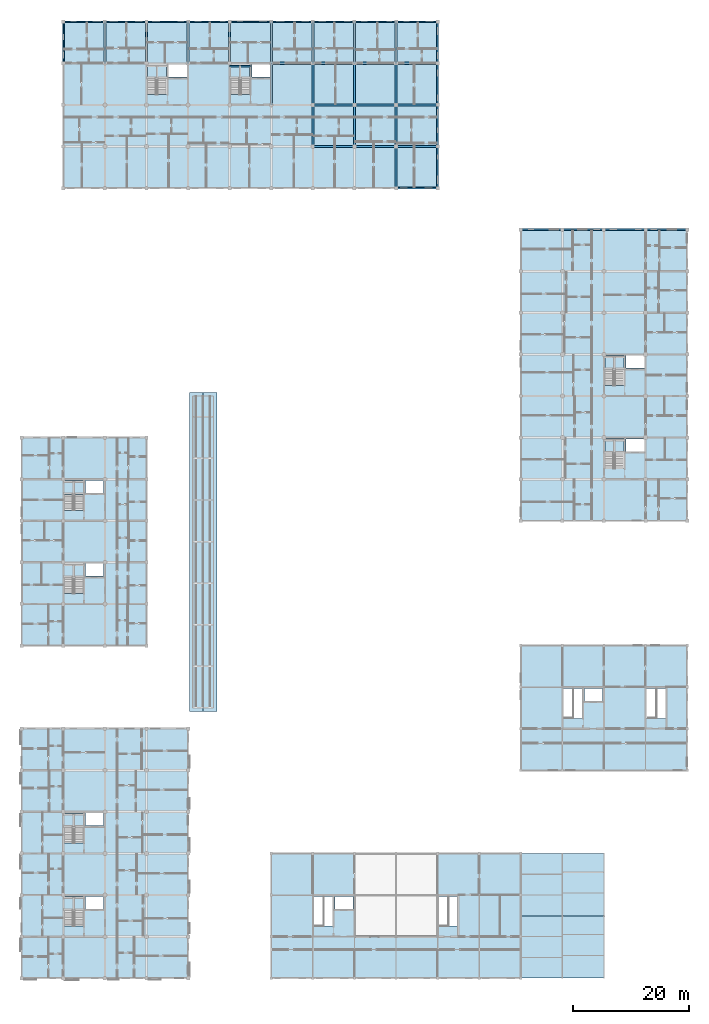
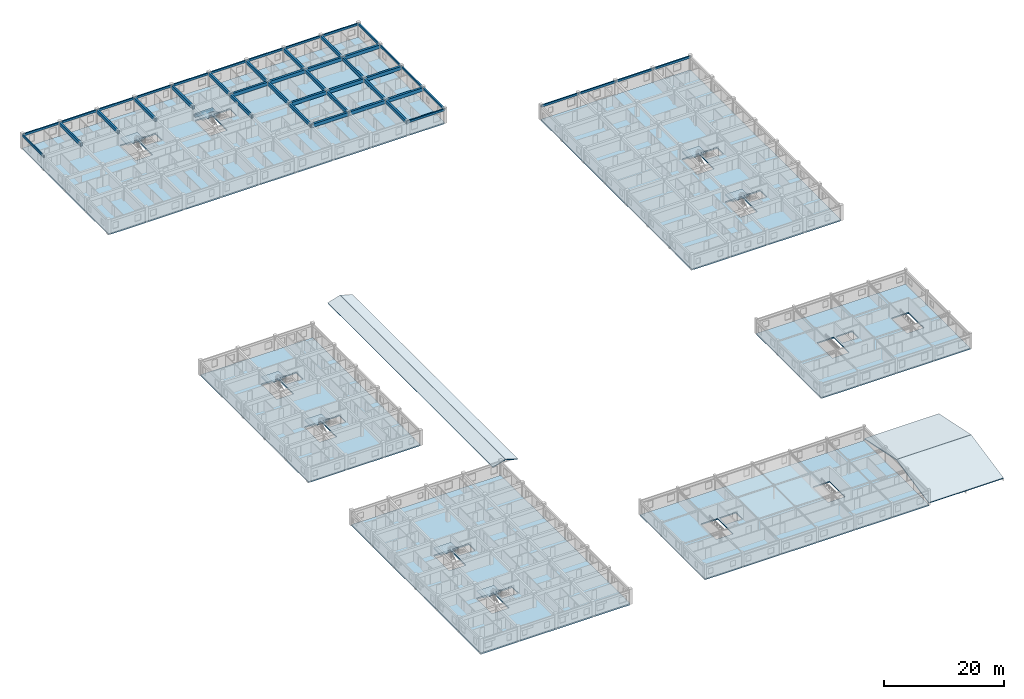
# One storey, part 12 of 50: 46 beams, 18 slabs, 8 elements without a shape of their own.
"""IFC4 building model written with IfcOpenShell, lengths in metres."""

import ifcopenshell
import ifcopenshell.guid

model = None  # the IFC model being written
_history = None  # IfcOwnerHistory: only IFC2X3 demands one
_inside = {}  # id of a spatial element -> (the spatial element, [elements in it])
_under = {}  # id of a project, library or spatial element -> (it, [spatial elements below it])
_declared = {}  # id of a project -> (the project, [libraries it declares])
_typed = {}  # id of a type object -> (the type object, [elements of that type])
_made_of = {}  # id of a material, layer set ... -> (it, [elements and type objects made of it])


def new_model(schema):
    """Start an empty IFC model of exactly this schema.

    Asked for "IFC4X3", IfcOpenShell would pick the latest addendum, in which some entities
    have other attributes; the version numbers below select the first issue.
    IFC2X3 requires an IfcOwnerHistory on every rooted entity: one is made here for all.
    """
    global model, _history
    if schema == "IFC4X3":
        model = ifcopenshell.file(schema_version=(4, 3, 0, 0))
    else:
        model = ifcopenshell.file(schema=schema)
    _inside.clear()
    _under.clear()
    _declared.clear()
    _typed.clear()
    _made_of.clear()
    _history = None
    if model.schema == "IFC2X3":
        org = make("IfcOrganization", Name="unknown")
        user = make(
            "IfcPersonAndOrganization",
            ThePerson=make("IfcPerson", FamilyName="unknown"),
            TheOrganization=org,
        )
        app = make(
            "IfcApplication",
            ApplicationDeveloper=org,
            Version="unknown",
            ApplicationFullName="unknown",
            ApplicationIdentifier="unknown",
        )
        _history = make(
            "IfcOwnerHistory",
            OwningUser=user,
            OwningApplication=app,
            ChangeAction="ADDED",
            CreationDate=0,
        )
    return model


def make(cls, **values):
    """One entity of the class cls with the attributes given. An attribute that is None is left unset."""
    return model.create_entity(
        cls, **{name: value for name, value in values.items() if value is not None}
    )


def rooted(cls, **values):
    """An entity with a GlobalId (a new one), such as an element, a storey or a relation."""
    return make(cls, GlobalId=ifcopenshell.guid.new(), OwnerHistory=_history, **values)


def si_unit(unit_type, name, prefix=None):
    """IfcSIUnit, for example si_unit("LENGTHUNIT", "METRE", prefix="MILLI")."""
    return make("IfcSIUnit", UnitType=unit_type, Prefix=prefix, Name=name)


def assignment(units):
    """IfcUnitAssignment: the units of a project."""
    return None if units is None else make("IfcUnitAssignment", Units=units)


def point(xyz):
    """IfcCartesianPoint."""
    return None if xyz is None else make("IfcCartesianPoint", Coordinates=xyz)


def direction(xyz):
    """IfcDirection."""
    return None if xyz is None else make("IfcDirection", DirectionRatios=xyz)


def frame(location, z_axis=None, x_axis=None):
    """IfcAxis2Placement3D, a coordinate frame: its origin and axes. An axis left out is left unset."""
    return make(
        "IfcAxis2Placement3D",
        Location=point(location),
        Axis=direction(z_axis),
        RefDirection=direction(x_axis),
    )


def frame_2d(location, x_axis=None):
    """IfcAxis2Placement2D, a coordinate frame in the plane: its origin and x axis."""
    return make(
        "IfcAxis2Placement2D", Location=point(location), RefDirection=direction(x_axis)
    )


def origin():
    """The frame at (0, 0, 0) with its axes left unset."""
    return frame((0.0, 0.0, 0.0))


def origin_2d():
    """The frame at (0, 0) in the plane with its x axis left unset."""
    return frame_2d((0.0, 0.0))


def place(relative_to, where):
    """IfcLocalPlacement: puts the frame where relative to a parent placement (None: the world)."""
    return make(
        "IfcLocalPlacement", PlacementRelTo=relative_to, RelativePlacement=where
    )


def context(
    kind, dimensions, precision=None, world=None, true_north=None, identifier=None
):
    """IfcGeometricRepresentationContext, for example the 3D "Model" context."""
    return make(
        "IfcGeometricRepresentationContext",
        ContextIdentifier=identifier,
        ContextType=kind,
        CoordinateSpaceDimension=dimensions,
        Precision=precision,
        WorldCoordinateSystem=world,
        TrueNorth=true_north,
    )


def subcontext(parent, identifier, kind, view, scale=None):
    """IfcGeometricRepresentationSubContext, for example "Body" below "Model"."""
    return make(
        "IfcGeometricRepresentationSubContext",
        ContextIdentifier=identifier,
        ContextType=kind,
        ParentContext=parent,
        TargetScale=scale,
        TargetView=view,
    )


def project(units=None, contexts=None):
    """IfcProject with its units and contexts."""
    return rooted(
        "IfcProject",
        Name="project",
        RepresentationContexts=contexts,
        UnitsInContext=assignment(units),
    )


def spatial(cls, under=None, at=None, **own):
    """A site, building, storey or space (cls), placed at a placement, below another one or the project."""
    s = rooted(cls, ObjectPlacement=at, **own)
    if under is not None:
        _under.setdefault(under.id(), (under, []))[1].append(s)
    return s


def polyline(points):
    """IfcPolyline through the points."""
    return make("IfcPolyline", Points=[point(p) for p in points])


def profile(cls, at=None, kind="AREA", **sizes):
    """A parametric profile (cls). Its sizes go by their IFC names, for example OverallWidth=200.0."""
    return make(cls, ProfileType=kind, Position=at, **sizes)


def rectangle(**sizes):
    """IfcRectangleProfileDef."""
    return profile("IfcRectangleProfileDef", **sizes)


def outline(outer, holes=None, kind="AREA"):
    """IfcArbitraryClosedProfileDef: a profile drawn as a closed curve; with holes, ...WithVoids."""
    if holes is None:
        return make("IfcArbitraryClosedProfileDef", ProfileType=kind, OuterCurve=outer)
    return make(
        "IfcArbitraryProfileDefWithVoids",
        ProfileType=kind,
        OuterCurve=outer,
        InnerCurves=holes,
    )


def extrude(swept, where, along, depth):
    """IfcExtrudedAreaSolid: the profile swept, set in the frame where, extruded along a direction by depth."""
    return make(
        "IfcExtrudedAreaSolid",
        SweptArea=swept,
        Position=where,
        ExtrudedDirection=direction(along),
        Depth=depth,
    )


def shape(context_of_items, identifier, shape_type, items):
    """IfcShapeRepresentation: the items that make up one representation, for example the "Body"."""
    return make(
        "IfcShapeRepresentation",
        ContextOfItems=context_of_items,
        RepresentationIdentifier=identifier,
        RepresentationType=shape_type,
        Items=items,
    )


def material(Name=None, Category=None):
    """IfcMaterial."""
    return make("IfcMaterial", Name=Name, Category=Category)


def layer(
    of_material, thickness, ventilated=None, Name=None, Category=None, Priority=None
):
    """IfcMaterialLayer: one layer of a wall or slab, of a material (None: an air gap)."""
    return make(
        "IfcMaterialLayer",
        Material=of_material,
        LayerThickness=thickness,
        IsVentilated=ventilated,
        Name=Name,
        Category=Category,
        Priority=Priority,
    )


def layer_set(layers, Name=None):
    """IfcMaterialLayerSet."""
    return make("IfcMaterialLayerSet", MaterialLayers=layers, LayerSetName=Name)


def material_profile(
    of_material, cross_section, Name=None, Category=None, Priority=None
):
    """IfcMaterialProfile: a cross section and its material."""
    return make(
        "IfcMaterialProfile",
        Name=Name,
        Material=of_material,
        Profile=cross_section,
        Priority=Priority,
        Category=Category,
    )


def profile_set(profiles, Name=None, composite=None):
    """IfcMaterialProfileSet."""
    return make(
        "IfcMaterialProfileSet",
        Name=Name,
        MaterialProfiles=profiles,
        CompositeProfile=composite,
    )


def made_of(thing, what):
    """Note that an element or type object is made of a material, layer set ...; save() writes the relation."""
    if what is not None:
        _made_of.setdefault(what.id(), (what, []))[1].append(thing)
    return thing


def type_object(cls, material=None, **own):
    """A type object (cls), such as IfcWallType, which elements share."""
    return made_of(rooted(cls, **own), material)


def element(
    cls,
    number,
    at=None,
    inside=None,
    cuts=None,
    type_object=None,
    material=None,
    context=None,
    identifier="Body",
    shape_type=None,
    held_by="IfcProductDefinitionShape",
    body=None,
    shapes=None,
    **own,
):
    """One element of the class cls, such as IfcWall. Its Tag is "e" and its number.

    at: its placement. inside: the storey or other place that contains it. cuts: it is an
    opening in that element (IfcRelVoidsElement). A single representation is given by context,
    identifier, shape_type and body (its items); several are given by shapes. held_by: the class
    of the entity that holds the representations. save() writes the other relations.
    """
    e = rooted(cls, Tag="e%d" % number, ObjectPlacement=at, **own)
    if body is not None:
        shapes = [shape(context, identifier, shape_type, body)]
    if shapes is not None:
        e.Representation = make(held_by, Representations=shapes)
    if inside is not None:
        _inside.setdefault(inside.id(), (inside, []))[1].append(e)
    if cuts is not None:
        rooted(
            "IfcRelVoidsElement", RelatingBuildingElement=cuts, RelatedOpeningElement=e
        )
    if type_object is not None:
        _typed.setdefault(type_object.id(), (type_object, []))[1].append(e)
    return made_of(e, material)


def aggregate(whole, parts):
    """IfcRelAggregates: a whole, such as a stair, and the parts it consists of."""
    return rooted("IfcRelAggregates", RelatingObject=whole, RelatedObjects=parts)


def save(model, path):
    """Write the relations noted so far, then the file.

    IfcRelAggregates (storeys below a building ...), IfcRelContainedInSpatialStructure (elements
    in a storey), IfcRelDefinesByType, IfcRelAssociatesMaterial and IfcRelDeclares: one each for
    every whole, place, type object, material and project.
    """
    for whole, parts in _under.values():
        aggregate(whole, parts)
    for where, things in _inside.values():
        rooted(
            "IfcRelContainedInSpatialStructure",
            RelatedElements=things,
            RelatingStructure=where,
        )
    for kind, things in _typed.values():
        rooted("IfcRelDefinesByType", RelatedObjects=things, RelatingType=kind)
    for what, things in _made_of.values():
        rooted("IfcRelAssociatesMaterial", RelatedObjects=things, RelatingMaterial=what)
    for by, libraries in _declared.values():
        rooted("IfcRelDeclares", RelatingContext=by, RelatedDefinitions=libraries)
    model.write(path)


model = new_model("IFC4")

# Units and contexts
model_context = context("Model", 3, precision=1e-05, world=origin(), true_north=direction((0.0, 1.0)))
body_context = subcontext(model_context, "Body", "Model", "MODEL_VIEW")
ifc_project = project(units=[si_unit("LENGTHUNIT", "METRE"), si_unit("AREAUNIT", "SQUARE_METRE"), si_unit("VOLUMEUNIT", "CUBIC_METRE"), si_unit("PLANEANGLEUNIT", "RADIAN"), si_unit("MASSUNIT", "GRAM", prefix="KILO"), si_unit("THERMODYNAMICTEMPERATUREUNIT", "KELVIN"), si_unit("POWERUNIT", "WATT")], contexts=[model_context])

# Site, building, storey
site_placement = place(None, origin())
site = spatial("IfcSite", under=ifc_project, at=site_placement, CompositionType="ELEMENT")
building_placement = place(site_placement, origin())
building = spatial("IfcBuilding", under=site, at=building_placement, Name="Tavuni Mirador Residences", CompositionType="ELEMENT")
storey_placement = place(building_placement, frame((0.0, 0.0, 4.5)))
storey = spatial("IfcBuildingStorey", under=building, at=storey_placement, Name="L01", CompositionType="ELEMENT", Elevation=4.5)

# Beams
ifc_material_1 = material(Name="Precast concrete C40/50", Category="concrete")
ifc_material_profile_1 = material_profile(ifc_material_1, rectangle(XDim=0.300048828125, YDim=0.5, at=origin_2d()), Name="PC 300x500", Category="concrete")
ifc_profile_set_1 = profile_set([ifc_material_profile_1], Name="Precast concrete C40/50")
beam_type_1 = type_object("IfcBeamType", Name="BT-B500", PredefinedType="BEAM", material=ifc_profile_set_1)
beam_1_placement = place(storey_placement, frame((39.60009765625, 165.14990234375, 1.14501953125), z_axis=(1.0, 0.0, 0.0), x_axis=(0.0, 1.0, 0.0)))
element("IfcBeam", 1, at=beam_1_placement, inside=storey, type_object=beam_type_1, Name="HLB2-C6-L01", PredefinedType="BEAM", context=body_context, shape_type="SweptSolid", body=[
    extrude(rectangle(XDim=0.300048828125, YDim=0.5, at=origin_2d()), origin(), (0.0, 0.0, 1.0), 3.599853515625),
])
ifc_material_profile_2 = material_profile(ifc_material_1, rectangle(XDim=0.35009765625, YDim=0.64990234375, at=origin_2d()), Name="PC 350x650", Category="concrete")
ifc_profile_set_2 = profile_set([ifc_material_profile_2], Name="Precast concrete C40/50")
beam_type_2 = type_object("IfcBeamType", Name="BT-B650", PredefinedType="BEAM", material=ifc_profile_set_2)
for number, where, z_axis, x_axis, name in (
    (2, (18.0, 165.60009765625, 2.56005859375), (0.0, 1.0, 0.0), (-1.0, 0.0, 0.0), "BMY-BLK-C-L01-01-03"),
    (3, (25.199951171875, 165.60009765625, 2.56005859375), (0.0, 1.0, 0.0), (-1.0, 0.0, 0.0), "BMY-BLK-C-L01-02-03"),
    (4, (32.39990234375, 165.60009765625, 2.56005859375), (0.0, 1.0, 0.0), (-1.0, 0.0, 0.0), "BMY-BLK-C-L01-03-03"),
    (5, (39.60009765625, 165.60009765625, 2.56005859375), (0.0, 1.0, 0.0), (-1.0, 0.0, 0.0), "BMY-BLK-C-L01-04-03"),
):
    element("IfcBeam", number, at=place(storey_placement, frame(where, z_axis=z_axis, x_axis=x_axis)), inside=storey, type_object=beam_type_2, Name=name, PredefinedType="BEAM", context=body_context, shape_type="SweptSolid", body=[
        extrude(rectangle(XDim=0.35009765625, YDim=0.64990234375, at=origin_2d()), origin(), (0.0, 0.0, 1.0), 7.199951171875),
    ])
beam_2_placement = place(storey_placement, frame((46.800048828125, 158.39990234375, 2.56005859375), z_axis=(0.0, 1.0, 0.0), x_axis=(-1.0, 0.0, 0.0)))
element("IfcBeam", 6, at=beam_2_placement, inside=storey, type_object=beam_type_2, Name="BMY-BLK-C-L01-05-02", PredefinedType="BEAM", context=body_context, shape_type="SweptSolid", body=[
    extrude(rectangle(XDim=0.35009765625, YDim=0.64990234375, at=origin_2d()), origin(), (0.0, 0.0, 1.0), 7.2001953125),
])
for number, where, z_axis, x_axis, name in (
    (7, (46.800048828125, 165.60009765625, 2.56005859375), (0.0, 1.0, 0.0), (-1.0, 0.0, 0.0), "BMY-BLK-C-L01-05-03"),
    (8, (54.0, 151.199951171875, 2.56005859375), (0.0, 1.0, 0.0), (-1.0, 0.0, 0.0), "BMY-BLK-C-L01-06-01"),
):
    element("IfcBeam", number, at=place(storey_placement, frame(where, z_axis=z_axis, x_axis=x_axis)), inside=storey, type_object=beam_type_2, Name=name, PredefinedType="BEAM", context=body_context, shape_type="SweptSolid", body=[
        extrude(rectangle(XDim=0.35009765625, YDim=0.64990234375, at=origin_2d()), origin(), (0.0, 0.0, 1.0), 7.199951171875),
    ])
beam_3_placement = place(storey_placement, frame((54.0, 158.39990234375, 2.56005859375), z_axis=(0.0, 1.0, 0.0), x_axis=(-1.0, 0.0, 0.0)))
element("IfcBeam", 9, at=beam_3_placement, inside=storey, type_object=beam_type_2, Name="BMY-BLK-C-L01-06-02", PredefinedType="BEAM", context=body_context, shape_type="SweptSolid", body=[
    extrude(rectangle(XDim=0.35009765625, YDim=0.64990234375, at=origin_2d()), origin(), (0.0, 0.0, 1.0), 7.2001953125),
])
for number, where, z_axis, x_axis, name in (
    (10, (54.0, 165.60009765625, 2.56005859375), (0.0, 1.0, 0.0), (-1.0, 0.0, 0.0), "BMY-BLK-C-L01-06-03"),
    (11, (61.199951171875, 151.199951171875, 2.56005859375), (0.0, 1.0, 0.0), (-1.0, 0.0, 0.0), "BMY-BLK-C-L01-07-01"),
):
    element("IfcBeam", number, at=place(storey_placement, frame(where, z_axis=z_axis, x_axis=x_axis)), inside=storey, type_object=beam_type_2, Name=name, PredefinedType="BEAM", context=body_context, shape_type="SweptSolid", body=[
        extrude(rectangle(XDim=0.35009765625, YDim=0.64990234375, at=origin_2d()), origin(), (0.0, 0.0, 1.0), 7.199951171875),
    ])
beam_4_placement = place(storey_placement, frame((61.199951171875, 158.39990234375, 2.56005859375), z_axis=(0.0, 1.0, 0.0), x_axis=(-1.0, 0.0, 0.0)))
element("IfcBeam", 12, at=beam_4_placement, inside=storey, type_object=beam_type_2, Name="BMY-BLK-C-L01-07-02", PredefinedType="BEAM", context=body_context, shape_type="SweptSolid", body=[
    extrude(rectangle(XDim=0.35009765625, YDim=0.64990234375, at=origin_2d()), origin(), (0.0, 0.0, 1.0), 7.2001953125),
])
for number, where, z_axis, x_axis, name in (
    (13, (61.199951171875, 165.60009765625, 2.56005859375), (0.0, 1.0, 0.0), (-1.0, 0.0, 0.0), "BMY-BLK-C-L01-07-03"),
    (14, (68.39990234375, 144.0, 2.56005859375), (0.0, 1.0, 0.0), (-1.0, 0.0, 0.0), "BMY-BLK-C-L01-08-00"),
    (15, (68.39990234375, 151.199951171875, 2.56005859375), (0.0, 1.0, 0.0), (-1.0, 0.0, 0.0), "BMY-BLK-C-L01-08-01"),
):
    element("IfcBeam", number, at=place(storey_placement, frame(where, z_axis=z_axis, x_axis=x_axis)), inside=storey, type_object=beam_type_2, Name=name, PredefinedType="BEAM", context=body_context, shape_type="SweptSolid", body=[
        extrude(rectangle(XDim=0.35009765625, YDim=0.64990234375, at=origin_2d()), origin(), (0.0, 0.0, 1.0), 7.199951171875),
    ])
beam_5_placement = place(storey_placement, frame((68.39990234375, 158.39990234375, 2.56005859375), z_axis=(0.0, 1.0, 0.0), x_axis=(-1.0, 0.0, 0.0)))
element("IfcBeam", 16, at=beam_5_placement, inside=storey, type_object=beam_type_2, Name="BMY-BLK-C-L01-08-02", PredefinedType="BEAM", context=body_context, shape_type="SweptSolid", body=[
    extrude(rectangle(XDim=0.35009765625, YDim=0.64990234375, at=origin_2d()), origin(), (0.0, 0.0, 1.0), 7.2001953125),
])
beam_6_placement = place(storey_placement, frame((68.39990234375, 165.60009765625, 2.56005859375), z_axis=(0.0, 1.0, 0.0), x_axis=(-1.0, 0.0, 0.0)))
element("IfcBeam", 17, at=beam_6_placement, inside=storey, type_object=beam_type_2, Name="BMY-BLK-C-L01-08-03", PredefinedType="BEAM", context=body_context, shape_type="SweptSolid", body=[
    extrude(rectangle(XDim=0.35009765625, YDim=0.64990234375, at=origin_2d()), origin(), (0.0, 0.0, 1.0), 7.199951171875),
])
ifc_material_profile_3 = material_profile(ifc_material_1, rectangle(XDim=0.39990234375, YDim=0.699951171875, at=origin_2d()), Name="PC 400x700", Category="concrete")
ifc_profile_set_3 = profile_set([ifc_material_profile_3], Name="Precast concrete C40/50")
beam_type_3 = type_object("IfcBeamType", Name="BT-B700", PredefinedType="BEAM", material=ifc_profile_set_3)
for number, where, z_axis, x_axis, name in (
    (18, (54.0, 151.199951171875, 2.534912109375), (1.0, 0.0, 0.0), (0.0, 1.0, 0.0), "BMX-BLK-C-L01-06-01"),
    (19, (61.199951171875, 151.199951171875, 2.534912109375), (1.0, 0.0, 0.0), (0.0, 1.0, 0.0), "BMX-BLK-C-L01-07-01"),
):
    element("IfcBeam", number, at=place(storey_placement, frame(where, z_axis=z_axis, x_axis=x_axis)), inside=storey, type_object=beam_type_3, Name=name, PredefinedType="BEAM", context=body_context, shape_type="SweptSolid", body=[
        extrude(rectangle(XDim=0.39990234375, YDim=0.699951171875, at=origin_2d()), origin(), (0.0, 0.0, 1.0), 7.199951171875),
    ])
beam_7_placement = place(storey_placement, frame((68.39990234375, 151.199951171875, 2.534912109375), z_axis=(1.0, 0.0, 0.0), x_axis=(0.0, 1.0, 0.0)))
element("IfcBeam", 20, at=beam_7_placement, inside=storey, type_object=beam_type_3, Name="BMX-BLK-C-L01-08-01", PredefinedType="BEAM", context=body_context, shape_type="SweptSolid", body=[
    extrude(rectangle(XDim=0.39990234375, YDim=0.699951171875, at=origin_2d()), origin(), (0.0, 0.0, 1.0), 7.2001953125),
])
for number, where, z_axis, x_axis, name in (
    (21, (54.0, 158.39990234375, 2.534912109375), (1.0, 0.0, 0.0), (0.0, 1.0, 0.0), "BMX-BLK-C-L01-06-02"),
    (22, (61.199951171875, 158.39990234375, 2.534912109375), (1.0, 0.0, 0.0), (0.0, 1.0, 0.0), "BMX-BLK-C-L01-07-02"),
):
    element("IfcBeam", number, at=place(storey_placement, frame(where, z_axis=z_axis, x_axis=x_axis)), inside=storey, type_object=beam_type_3, Name=name, PredefinedType="BEAM", context=body_context, shape_type="SweptSolid", body=[
        extrude(rectangle(XDim=0.39990234375, YDim=0.699951171875, at=origin_2d()), origin(), (0.0, 0.0, 1.0), 7.199951171875),
    ])
beam_8_placement = place(storey_placement, frame((68.39990234375, 158.39990234375, 2.534912109375), z_axis=(1.0, 0.0, 0.0), x_axis=(0.0, 1.0, 0.0)))
element("IfcBeam", 23, at=beam_8_placement, inside=storey, type_object=beam_type_3, Name="BMX-BLK-C-L01-08-02", PredefinedType="BEAM", context=body_context, shape_type="SweptSolid", body=[
    extrude(rectangle(XDim=0.39990234375, YDim=0.699951171875, at=origin_2d()), origin(), (0.0, 0.0, 1.0), 7.2001953125),
])
for number, where, z_axis, x_axis, name in (
    (24, (46.800048828125, 165.60009765625, 2.534912109375), (1.0, 0.0, 0.0), (0.0, 1.0, 0.0), "BMX-BLK-C-L01-05-03"),
    (25, (54.0, 165.60009765625, 2.534912109375), (1.0, 0.0, 0.0), (0.0, 1.0, 0.0), "BMX-BLK-C-L01-06-03"),
    (26, (61.199951171875, 165.60009765625, 2.534912109375), (1.0, 0.0, 0.0), (0.0, 1.0, 0.0), "BMX-BLK-C-L01-07-03"),
):
    element("IfcBeam", number, at=place(storey_placement, frame(where, z_axis=z_axis, x_axis=x_axis)), inside=storey, type_object=beam_type_3, Name=name, PredefinedType="BEAM", context=body_context, shape_type="SweptSolid", body=[
        extrude(rectangle(XDim=0.39990234375, YDim=0.699951171875, at=origin_2d()), origin(), (0.0, 0.0, 1.0), 7.199951171875),
    ])
beam_9_placement = place(storey_placement, frame((68.39990234375, 165.60009765625, 2.534912109375), z_axis=(1.0, 0.0, 0.0), x_axis=(0.0, 1.0, 0.0)))
element("IfcBeam", 27, at=beam_9_placement, inside=storey, type_object=beam_type_3, Name="BMX-BLK-C-L01-08-03", PredefinedType="BEAM", context=body_context, shape_type="SweptSolid", body=[
    extrude(rectangle(XDim=0.39990234375, YDim=0.699951171875, at=origin_2d()), origin(), (0.0, 0.0, 1.0), 7.2001953125),
])
ifc_material_profile_4 = material_profile(ifc_material_1, rectangle(XDim=0.25, YDim=0.419921875, at=origin_2d()), Name="PC 250x420", Category="concrete")
ifc_profile_set_4 = profile_set([ifc_material_profile_4], Name="Precast concrete C40/50")
beam_type_4 = type_object("IfcBeamType", Name="BT-SP420", PredefinedType="SPANDREL", material=ifc_profile_set_4)
beam_10_placement = place(storey_placement, frame((68.39990234375, 144.0, 2.675048828125), z_axis=(1.0, 0.0, 0.0), x_axis=(0.0, 1.0, 0.0)))
element("IfcBeam", 28, at=beam_10_placement, inside=storey, type_object=beam_type_4, Name="BMX-BLK-C-L01-08-00", PredefinedType="SPANDREL", context=body_context, shape_type="SweptSolid", body=[
    extrude(rectangle(XDim=0.25, YDim=0.419921875, at=origin_2d()), origin(), (0.0, 0.0, 1.0), 7.2001953125),
])
for number, where, z_axis, x_axis, name in (
    (29, (10.800048828125, 172.800048828125, 2.675048828125), (1.0, 0.0, 0.0), (0.0, 1.0, 0.0), "BMX-BLK-C-L01-00-04"),
    (30, (18.0, 172.800048828125, 2.675048828125), (1.0, 0.0, 0.0), (0.0, 1.0, 0.0), "BMX-BLK-C-L01-01-04"),
    (31, (25.199951171875, 172.800048828125, 2.675048828125), (1.0, 0.0, 0.0), (0.0, 1.0, 0.0), "BMX-BLK-C-L01-02-04"),
):
    element("IfcBeam", number, at=place(storey_placement, frame(where, z_axis=z_axis, x_axis=x_axis)), inside=storey, type_object=beam_type_4, Name=name, PredefinedType="SPANDREL", context=body_context, shape_type="SweptSolid", body=[
        extrude(rectangle(XDim=0.25, YDim=0.419921875, at=origin_2d()), origin(), (0.0, 0.0, 1.0), 7.199951171875),
    ])
beam_11_placement = place(storey_placement, frame((32.39990234375, 172.800048828125, 2.675048828125), z_axis=(1.0, 0.0, 0.0), x_axis=(0.0, 1.0, 0.0)))
element("IfcBeam", 32, at=beam_11_placement, inside=storey, type_object=beam_type_4, Name="BMX-BLK-C-L01-03-04", PredefinedType="SPANDREL", context=body_context, shape_type="SweptSolid", body=[
    extrude(rectangle(XDim=0.25, YDim=0.419921875, at=origin_2d()), origin(), (0.0, 0.0, 1.0), 7.2001953125),
])
for number, where, z_axis, x_axis, name in (
    (33, (39.60009765625, 172.800048828125, 2.675048828125), (1.0, 0.0, 0.0), (0.0, 1.0, 0.0), "BMX-BLK-C-L01-04-04"),
    (34, (46.800048828125, 172.800048828125, 2.675048828125), (1.0, 0.0, 0.0), (0.0, 1.0, 0.0), "BMX-BLK-C-L01-05-04"),
    (35, (54.0, 172.800048828125, 2.675048828125), (1.0, 0.0, 0.0), (0.0, 1.0, 0.0), "BMX-BLK-C-L01-06-04"),
    (36, (61.199951171875, 172.800048828125, 2.675048828125), (1.0, 0.0, 0.0), (0.0, 1.0, 0.0), "BMX-BLK-C-L01-07-04"),
):
    element("IfcBeam", number, at=place(storey_placement, frame(where, z_axis=z_axis, x_axis=x_axis)), inside=storey, type_object=beam_type_4, Name=name, PredefinedType="SPANDREL", context=body_context, shape_type="SweptSolid", body=[
        extrude(rectangle(XDim=0.25, YDim=0.419921875, at=origin_2d()), origin(), (0.0, 0.0, 1.0), 7.199951171875),
    ])
beam_12_placement = place(storey_placement, frame((68.39990234375, 172.800048828125, 2.675048828125), z_axis=(1.0, 0.0, 0.0), x_axis=(0.0, 1.0, 0.0)))
element("IfcBeam", 37, at=beam_12_placement, inside=storey, type_object=beam_type_4, Name="BMX-BLK-C-L01-08-04", PredefinedType="SPANDREL", context=body_context, shape_type="SweptSolid", body=[
    extrude(rectangle(XDim=0.25, YDim=0.419921875, at=origin_2d()), origin(), (0.0, 0.0, 1.0), 7.2001953125),
])
for number, where, z_axis, x_axis, name in (
    (38, (10.800048828125, 165.60009765625, 2.675048828125), (0.0, 1.0, 0.0), (-1.0, 0.0, 0.0), "BMY-BLK-C-L01-00-03"),
    (39, (75.60009765625, 144.0, 2.675048828125), (0.0, 1.0, 0.0), (-1.0, 0.0, 0.0), "BMY-BLK-C-L01-09-00"),
    (40, (75.60009765625, 151.199951171875, 2.675048828125), (0.0, 1.0, 0.0), (-1.0, 0.0, 0.0), "BMY-BLK-C-L01-09-01"),
):
    element("IfcBeam", number, at=place(storey_placement, frame(where, z_axis=z_axis, x_axis=x_axis)), inside=storey, type_object=beam_type_4, Name=name, PredefinedType="SPANDREL", context=body_context, shape_type="SweptSolid", body=[
        extrude(rectangle(XDim=0.25, YDim=0.419921875, at=origin_2d()), origin(), (0.0, 0.0, 1.0), 7.199951171875),
    ])
beam_13_placement = place(storey_placement, frame((75.60009765625, 158.39990234375, 2.675048828125), z_axis=(0.0, 1.0, 0.0), x_axis=(-1.0, 0.0, 0.0)))
element("IfcBeam", 41, at=beam_13_placement, inside=storey, type_object=beam_type_4, Name="BMY-BLK-C-L01-09-02", PredefinedType="SPANDREL", context=body_context, shape_type="SweptSolid", body=[
    extrude(rectangle(XDim=0.25, YDim=0.419921875, at=origin_2d()), origin(), (0.0, 0.0, 1.0), 7.2001953125),
])
for number, where, z_axis, x_axis, name in (
    (42, (75.60009765625, 165.60009765625, 2.675048828125), (0.0, 1.0, 0.0), (-1.0, 0.0, 0.0), "BMY-BLK-C-L01-09-03"),
    (43, (90.0, 136.800048828125, 2.679931640625), (1.0, 0.0, 0.0), (0.0, 1.0, 0.0), "BMX-BLK-D-L01-00-07"),
    (44, (97.199951171875, 136.800048828125, 2.679931640625), (1.0, 0.0, 0.0), (0.0, 1.0, 0.0), "BMX-BLK-D-L01-01-07"),
):
    element("IfcBeam", number, at=place(storey_placement, frame(where, z_axis=z_axis, x_axis=x_axis)), inside=storey, type_object=beam_type_4, Name=name, PredefinedType="SPANDREL", context=body_context, shape_type="SweptSolid", body=[
        extrude(rectangle(XDim=0.25, YDim=0.419921875, at=origin_2d()), origin(), (0.0, 0.0, 1.0), 7.199951171875),
    ])
beam_14_placement = place(storey_placement, frame((104.39990234375, 136.800048828125, 2.679931640625), z_axis=(1.0, 0.0, 0.0), x_axis=(0.0, 1.0, 0.0)))
element("IfcBeam", 45, at=beam_14_placement, inside=storey, type_object=beam_type_4, Name="BMX-BLK-D-L01-02-07", PredefinedType="SPANDREL", context=body_context, shape_type="SweptSolid", body=[
    extrude(rectangle(XDim=0.25, YDim=0.419921875, at=origin_2d()), origin(), (0.0, 0.0, 1.0), 7.2001953125),
])
beam_15_placement = place(storey_placement, frame((111.60009765625, 136.800048828125, 2.679931640625), z_axis=(1.0, 0.0, 0.0), x_axis=(0.0, 1.0, 0.0)))
element("IfcBeam", 46, at=beam_15_placement, inside=storey, type_object=beam_type_4, Name="BMX-BLK-D-L01-03-07", PredefinedType="SPANDREL", context=body_context, shape_type="SweptSolid", body=[
    extrude(rectangle(XDim=0.25, YDim=0.419921875, at=origin_2d()), origin(), (0.0, 0.0, 1.0), 7.199951171875),
])

# Slabs
ifc_material_2 = material(Name="Prestressed concrete C45/55", Category="concrete")
ifc_layer_1 = layer(ifc_material_2, 0.239990234375, Name="Prestressed concrete C45/55", Category="concrete")
ifc_layer_set_1 = layer_set([ifc_layer_1], Name="Prestressed concrete C45/55")
slab_type_1 = type_object("IfcSlabType", Name="SLT-FLR240", PredefinedType="FLOOR", material=ifc_layer_set_1)
slab_1_placement = place(storey_placement, frame((0.0, 0.0, -0.239990234375)))
element("IfcSlab", 47, at=slab_1_placement, inside=storey, type_object=slab_type_1, Name="SLB-BLK-B-L01", PredefinedType="FLOOR", context=body_context, shape_type="SweptSolid", body=[
    extrude(outline(polyline([(3.60009765625, 64.800048828125), (25.199951171875, 64.800048828125), (25.199951171875, 100.800048828125), (3.60009765625, 100.800048828125), (3.60009765625, 64.800048828125)]), holes=[polyline([(10.9599609375, 73.80810546875), (14.239990234375, 73.80810546875), (14.239990234375, 78.9599609375), (10.9599609375, 78.9599609375), (10.9599609375, 73.80810546875)]), polyline([(14.6201171875, 76.820068359375), (17.780029296875, 76.820068359375), (17.780029296875, 78.97998046875), (14.6201171875, 78.97998046875), (14.6201171875, 76.820068359375)]), polyline([(10.9599609375, 88.2080078125), (14.239990234375, 88.2080078125), (14.239990234375, 93.360107421875), (10.9599609375, 93.360107421875), (10.9599609375, 88.2080078125)]), polyline([(14.6201171875, 91.219970703125), (17.780029296875, 91.219970703125), (17.780029296875, 93.3798828125), (14.6201171875, 93.3798828125), (14.6201171875, 91.219970703125)])]), origin(), (0.0, 0.0, 1.0), 0.239990234375),
])
slab_2_placement = place(storey_placement, frame((0.0, 0.0, -0.239990234375)))
element("IfcSlab", 48, at=slab_2_placement, inside=storey, type_object=slab_type_1, Name="SLB-PAV-NURS-L01", PredefinedType="FLOOR", context=body_context, shape_type="SweptSolid", body=[
    extrude(outline(polyline([(90.0, 43.199951171875), (118.800048828125, 43.199951171875), (118.800048828125, 64.800048828125), (90.0, 64.800048828125), (90.0, 43.199951171875)]), holes=[polyline([(97.360107421875, 52.2080078125), (100.639892578125, 52.2080078125), (100.639892578125, 57.360107421875), (97.360107421875, 57.360107421875), (97.360107421875, 52.2080078125)]), polyline([(101.02001953125, 55.219970703125), (104.179931640625, 55.219970703125), (104.179931640625, 57.3798828125), (101.02001953125, 57.3798828125), (101.02001953125, 55.219970703125)]), polyline([(111.760009765625, 52.2080078125), (115.0400390625, 52.2080078125), (115.0400390625, 57.360107421875), (111.760009765625, 57.360107421875), (111.760009765625, 52.2080078125)])]), origin(), (0.0, 0.0, 1.0), 0.239990234375),
])
slab_3_placement = place(storey_placement, frame((0.0, 0.0, -0.239990234375)))
element("IfcSlab", 49, at=slab_3_placement, inside=storey, type_object=slab_type_1, Name="SLB-PAV-SHOP-L01", PredefinedType="FLOOR", context=body_context, shape_type="SweptSolid", body=[
    extrude(outline(polyline([(46.800048828125, 7.199951171875), (90.0, 7.199951171875), (90.0, 28.800048828125), (46.800048828125, 28.800048828125), (46.800048828125, 7.199951171875)]), holes=[polyline([(54.159912109375, 16.2080078125), (57.43994140625, 16.2080078125), (57.43994140625, 21.360107421875), (54.159912109375, 21.360107421875), (54.159912109375, 16.2080078125)]), polyline([(57.820068359375, 19.219970703125), (60.97998046875, 19.219970703125), (60.97998046875, 21.3798828125), (57.820068359375, 21.3798828125), (57.820068359375, 19.219970703125)]), polyline([(75.760009765625, 16.2080078125), (79.0400390625, 16.2080078125), (79.0400390625, 21.360107421875), (75.760009765625, 21.360107421875), (75.760009765625, 16.2080078125)])]), origin(), (0.0, 0.0, 1.0), 0.239990234375),
])
ifc_layer_2 = layer(ifc_material_2, 0.260009765625, Name="Prestressed concrete C45/55", Category="concrete")
ifc_layer_set_2 = layer_set([ifc_layer_2], Name="Prestressed concrete C45/55")
slab_type_2 = type_object("IfcSlabType", Name="SLT-FLR260", PredefinedType="FLOOR", material=ifc_layer_set_2)
slab_4_placement = place(storey_placement, frame((0.0, 0.0, -0.260009765625)))
element("IfcSlab", 50, at=slab_4_placement, inside=storey, type_object=slab_type_2, Name="SLB-BLK-D-L01", PredefinedType="FLOOR", context=body_context, shape_type="SweptSolid", body=[
    extrude(outline(polyline([(90.0, 86.39990234375), (118.800048828125, 86.39990234375), (118.800048828125, 136.800048828125), (90.0, 136.800048828125), (90.0, 86.39990234375)]), holes=[polyline([(104.56005859375, 95.407958984375), (107.840087890625, 95.407958984375), (107.840087890625, 100.56005859375), (104.56005859375, 100.56005859375), (104.56005859375, 95.407958984375)]), polyline([(108.219970703125, 98.419921875), (111.3798828125, 98.419921875), (111.3798828125, 100.580078125), (108.219970703125, 100.580078125), (108.219970703125, 98.419921875)]), polyline([(104.56005859375, 109.80810546875), (107.840087890625, 109.80810546875), (107.840087890625, 114.9599609375), (104.56005859375, 114.9599609375), (104.56005859375, 109.80810546875)]), polyline([(108.219970703125, 112.820068359375), (111.3798828125, 112.820068359375), (111.3798828125, 114.97998046875), (108.219970703125, 114.97998046875), (108.219970703125, 112.820068359375)])]), origin(), (0.0, 0.0, 1.0), 0.260009765625),
])
ifc_layer_3 = layer(ifc_material_2, 0.264892578125, Name="Prestressed concrete C45/55", Category="concrete")
ifc_layer_set_3 = layer_set([ifc_layer_3], Name="Prestressed concrete C45/55")
slab_type_3 = type_object("IfcSlabType", Name="SLT-FLR265", PredefinedType="FLOOR", material=ifc_layer_set_3)
slab_5_placement = place(storey_placement, frame((0.0, 0.0, -0.264892578125)))
element("IfcSlab", 51, at=slab_5_placement, inside=storey, type_object=slab_type_3, Name="SLB-BLK-C-L01", PredefinedType="FLOOR", context=body_context, shape_type="SweptSolid", body=[
    extrude(outline(polyline([(10.800048828125, 144.0), (75.60009765625, 144.0), (75.60009765625, 172.800048828125), (10.800048828125, 172.800048828125), (10.800048828125, 144.0)]), holes=[polyline([(25.360107421875, 160.2080078125), (28.639892578125, 160.2080078125), (28.639892578125, 165.360107421875), (25.360107421875, 165.360107421875), (25.360107421875, 160.2080078125)]), polyline([(29.02001953125, 163.219970703125), (32.179931640625, 163.219970703125), (32.179931640625, 165.3798828125), (29.02001953125, 165.3798828125), (29.02001953125, 163.219970703125)]), polyline([(39.760009765625, 160.2080078125), (43.0400390625, 160.2080078125), (43.0400390625, 165.360107421875), (39.760009765625, 165.360107421875), (39.760009765625, 160.2080078125)]), polyline([(43.419921875, 163.219970703125), (46.580078125, 163.219970703125), (46.580078125, 165.3798828125), (43.419921875, 165.3798828125), (43.419921875, 163.219970703125)])]), origin(), (0.0, 0.0, 1.0), 0.264892578125),
])
ifc_layer_4 = layer(ifc_material_2, 0.280029296875, Name="Prestressed concrete C45/55", Category="concrete")
ifc_layer_set_4 = layer_set([ifc_layer_4], Name="Prestressed concrete C45/55")
slab_type_4 = type_object("IfcSlabType", Name="SLT-FLR280", PredefinedType="FLOOR", material=ifc_layer_set_4)
slab_6_placement = place(storey_placement, frame((0.0, 0.0, -0.280029296875)))
element("IfcSlab", 52, at=slab_6_placement, inside=storey, type_object=slab_type_4, Name="SLB-BLK-A-L01", PredefinedType="FLOOR", context=body_context, shape_type="SweptSolid", body=[
    extrude(outline(polyline([(3.60009765625, 7.199951171875), (32.39990234375, 7.199951171875), (32.39990234375, 50.39990234375), (3.60009765625, 50.39990234375), (3.60009765625, 7.199951171875)]), holes=[polyline([(10.9599609375, 16.2080078125), (14.239990234375, 16.2080078125), (14.239990234375, 21.360107421875), (10.9599609375, 21.360107421875), (10.9599609375, 16.2080078125)]), polyline([(14.6201171875, 19.219970703125), (17.780029296875, 19.219970703125), (17.780029296875, 21.3798828125), (14.6201171875, 21.3798828125), (14.6201171875, 19.219970703125)]), polyline([(10.9599609375, 30.60791015625), (14.239990234375, 30.60791015625), (14.239990234375, 35.760009765625), (10.9599609375, 35.760009765625), (10.9599609375, 30.60791015625)]), polyline([(14.6201171875, 33.6201171875), (17.780029296875, 33.6201171875), (17.780029296875, 35.780029296875), (14.6201171875, 35.780029296875), (14.6201171875, 33.6201171875)])]), origin(), (0.0, 0.0, 1.0), 0.280029296875),
])

# Stair, slab
stair_type = type_object("IfcStairType", Name="STT-TYP", PredefinedType="HALF_TURN_STAIR", material=ifc_material_1)
stair_1_placement = place(storey_placement, origin())
stair_1 = element("IfcStair", 53, at=stair_1_placement, inside=storey, type_object=stair_type, Name="Protected exit stair ST1 (L01)", PredefinedType="HALF_TURN_STAIR")
ifc_layer_5 = layer(ifc_material_1, 0.179931640625, Name="Precast concrete C40/50", Category="concrete")
ifc_layer_set_5 = layer_set([ifc_layer_5], Name="Precast concrete C40/50")
slab_type_5 = type_object("IfcSlabType", Name="SLT-LND180", PredefinedType="LANDING", material=ifc_layer_set_5)
slab_7_placement = place(storey_placement, frame((0.0, 0.0, 1.39501953125)))
slab_7 = element("IfcSlab", 54, at=slab_7_placement, type_object=slab_type_5, Name="ST1 landing 1", PredefinedType="LANDING", context=body_context, shape_type="SweptSolid", body=[
    extrude(outline(polyline([(10.93994140625, 18.89208984375), (14.260009765625, 18.89208984375), (14.260009765625, 21.300048828125), (10.93994140625, 21.300048828125), (10.93994140625, 18.89208984375)])), origin(), (0.0, 0.0, 1.0), 0.179931640625),
])
aggregate(stair_1, [slab_7])

stair_2_placement = place(storey_placement, origin())
stair_2 = element("IfcStair", 55, at=stair_2_placement, inside=storey, type_object=stair_type, Name="Protected exit stair ST2 (L01)", PredefinedType="HALF_TURN_STAIR")
slab_8_placement = place(storey_placement, frame((0.0, 0.0, 1.39501953125)))
slab_8 = element("IfcSlab", 56, at=slab_8_placement, type_object=slab_type_5, Name="ST2 landing 1", PredefinedType="LANDING", context=body_context, shape_type="SweptSolid", body=[
    extrude(outline(polyline([(10.93994140625, 33.2919921875), (14.260009765625, 33.2919921875), (14.260009765625, 35.699951171875), (10.93994140625, 35.699951171875), (10.93994140625, 33.2919921875)])), origin(), (0.0, 0.0, 1.0), 0.179931640625),
])
aggregate(stair_2, [slab_8])

stair_3_placement = place(storey_placement, origin())
stair_3 = element("IfcStair", 57, at=stair_3_placement, inside=storey, type_object=stair_type, Name="Protected exit stair ST3 (L01)", PredefinedType="HALF_TURN_STAIR")
slab_9_placement = place(storey_placement, frame((0.0, 0.0, 1.39501953125)))
slab_9 = element("IfcSlab", 58, at=slab_9_placement, type_object=slab_type_5, Name="ST3 landing 1", PredefinedType="LANDING", context=body_context, shape_type="SweptSolid", body=[
    extrude(outline(polyline([(10.93994140625, 76.491943359375), (14.260009765625, 76.491943359375), (14.260009765625, 78.89990234375), (10.93994140625, 78.89990234375), (10.93994140625, 76.491943359375)])), origin(), (0.0, 0.0, 1.0), 0.179931640625),
])
aggregate(stair_3, [slab_9])

stair_4_placement = place(storey_placement, origin())
stair_4 = element("IfcStair", 59, at=stair_4_placement, inside=storey, type_object=stair_type, Name="Protected exit stair ST4 (L01)", PredefinedType="HALF_TURN_STAIR")
slab_10_placement = place(storey_placement, frame((0.0, 0.0, 1.39501953125)))
slab_10 = element("IfcSlab", 60, at=slab_10_placement, type_object=slab_type_5, Name="ST4 landing 1", PredefinedType="LANDING", context=body_context, shape_type="SweptSolid", body=[
    extrude(outline(polyline([(10.93994140625, 90.89208984375), (14.260009765625, 90.89208984375), (14.260009765625, 93.300048828125), (10.93994140625, 93.300048828125), (10.93994140625, 90.89208984375)])), origin(), (0.0, 0.0, 1.0), 0.179931640625),
])
aggregate(stair_4, [slab_10])

stair_5_placement = place(storey_placement, origin())
stair_5 = element("IfcStair", 61, at=stair_5_placement, inside=storey, type_object=stair_type, Name="Protected exit stair ST5 (L01)", PredefinedType="HALF_TURN_STAIR")
slab_11_placement = place(storey_placement, frame((0.0, 0.0, 1.39501953125)))
slab_11 = element("IfcSlab", 62, at=slab_11_placement, type_object=slab_type_5, Name="ST5 landing 1", PredefinedType="LANDING", context=body_context, shape_type="SweptSolid", body=[
    extrude(outline(polyline([(25.340087890625, 162.89208984375), (28.659912109375, 162.89208984375), (28.659912109375, 165.300048828125), (25.340087890625, 165.300048828125), (25.340087890625, 162.89208984375)])), origin(), (0.0, 0.0, 1.0), 0.179931640625),
])
aggregate(stair_5, [slab_11])

stair_6_placement = place(storey_placement, origin())
stair_6 = element("IfcStair", 63, at=stair_6_placement, inside=storey, type_object=stair_type, Name="Protected exit stair ST6 (L01)", PredefinedType="HALF_TURN_STAIR")
slab_12_placement = place(storey_placement, frame((0.0, 0.0, 1.39501953125)))
slab_12 = element("IfcSlab", 64, at=slab_12_placement, type_object=slab_type_5, Name="ST6 landing 1", PredefinedType="LANDING", context=body_context, shape_type="SweptSolid", body=[
    extrude(outline(polyline([(39.739990234375, 162.89208984375), (43.06005859375, 162.89208984375), (43.06005859375, 165.300048828125), (39.739990234375, 165.300048828125), (39.739990234375, 162.89208984375)])), origin(), (0.0, 0.0, 1.0), 0.179931640625),
])
aggregate(stair_6, [slab_12])

stair_7_placement = place(storey_placement, origin())
stair_7 = element("IfcStair", 65, at=stair_7_placement, inside=storey, type_object=stair_type, Name="Protected exit stair ST7 (L01)", PredefinedType="HALF_TURN_STAIR")
slab_13_placement = place(storey_placement, frame((0.0, 0.0, 1.39501953125)))
slab_13 = element("IfcSlab", 66, at=slab_13_placement, type_object=slab_type_5, Name="ST7 landing 1", PredefinedType="LANDING", context=body_context, shape_type="SweptSolid", body=[
    extrude(outline(polyline([(104.5400390625, 98.092041015625), (107.860107421875, 98.092041015625), (107.860107421875, 100.5), (104.5400390625, 100.5), (104.5400390625, 98.092041015625)])), origin(), (0.0, 0.0, 1.0), 0.179931640625),
])
aggregate(stair_7, [slab_13])

stair_8_placement = place(storey_placement, origin())
stair_8 = element("IfcStair", 67, at=stair_8_placement, inside=storey, type_object=stair_type, Name="Protected exit stair ST8 (L01)", PredefinedType="HALF_TURN_STAIR")
slab_14_placement = place(storey_placement, frame((0.0, 0.0, 1.39501953125)))
slab_14 = element("IfcSlab", 68, at=slab_14_placement, type_object=slab_type_5, Name="ST8 landing 1", PredefinedType="LANDING", context=body_context, shape_type="SweptSolid", body=[
    extrude(outline(polyline([(104.5400390625, 112.491943359375), (107.860107421875, 112.491943359375), (107.860107421875, 114.89990234375), (104.5400390625, 114.89990234375), (104.5400390625, 112.491943359375)])), origin(), (0.0, 0.0, 1.0), 0.179931640625),
])
aggregate(stair_8, [slab_14])

# Slabs
ifc_layer_6 = layer(ifc_material_1, 0.155029296875, Name="Precast concrete C40/50", Category="concrete")
ifc_layer_set_6 = layer_set([ifc_layer_6], Name="Precast concrete C40/50")
slab_type_6 = type_object("IfcSlabType", Name="SLT-RF155", PredefinedType="ROOF", material=ifc_layer_set_6)
for number, where, z_axis, x_axis, name in (
    (69, (32.60009765625, 53.39990234375, -0.25), (-0.292340248807, 0.0, 0.956314372436), (0.956314372436, 0.0, 0.292340248807), "RF-COLO-WEST"),
    (70, (35.011962890625, 53.39990234375, 0.47998046875), (0.292340248807, 0.0, 0.956314372436), (0.956314372436, 0.0, -0.292340248807), "RF-COLO-EAST"),
):
    element("IfcSlab", number, at=place(storey_placement, frame(where, z_axis=z_axis, x_axis=x_axis)), inside=storey, type_object=slab_type_6, Name=name, PredefinedType="ROOF", context=body_context, shape_type="SweptSolid", body=[
        extrude(outline(polyline([(0.0, 0.0), (2.4970234913887763, 0.0), (2.4970234913887763, 55.2001953125), (0.0, 55.2001953125), (0.0, 0.0)])), origin(), (0.0, 0.0, -1.0), 0.155029296875),
    ])
ifc_layer_7 = layer(ifc_material_1, 0.195068359375, Name="Precast concrete C40/50", Category="concrete")
ifc_layer_set_7 = layer_set([ifc_layer_7], Name="Precast concrete C40/50")
slab_type_7 = type_object("IfcSlabType", Name="SLT-RF195", PredefinedType="ROOF", material=ifc_layer_set_7)
for number, where, z_axis, x_axis, name in (
    (71, (90.0, 7.199951171875, 0.39990234375), (0.0, -0.204170111203, 0.978935424679), (1.0, 0.0, 0.0), "RF-SHOP-CARPARK-S"),
    (72, (90.0, 18.011962890625, 2.64990234375), (0.0, 0.204170111203, 0.978935424679), (1.0, 0.0, 0.0), "RF-SHOP-CARPARK-N"),
):
    element("IfcSlab", number, at=place(storey_placement, frame(where, z_axis=z_axis, x_axis=x_axis)), inside=storey, type_object=slab_type_7, Name=name, PredefinedType="ROOF", context=body_context, shape_type="SweptSolid", body=[
        extrude(outline(polyline([(0.0, 0.0), (14.39990234375, 0.0), (14.39990234375, 11.020222238906312), (0.0, 11.020222238906312), (0.0, 0.0)])), origin(), (0.0, 0.0, -1.0), 0.195068359375),
    ])

save(model, "model.ifc")
